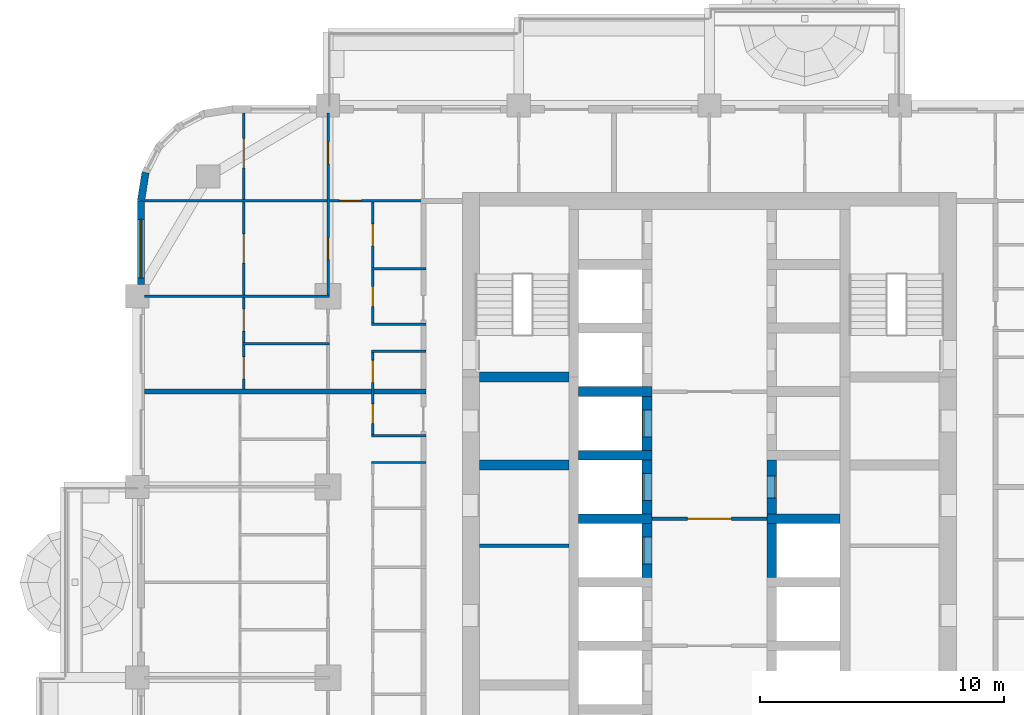
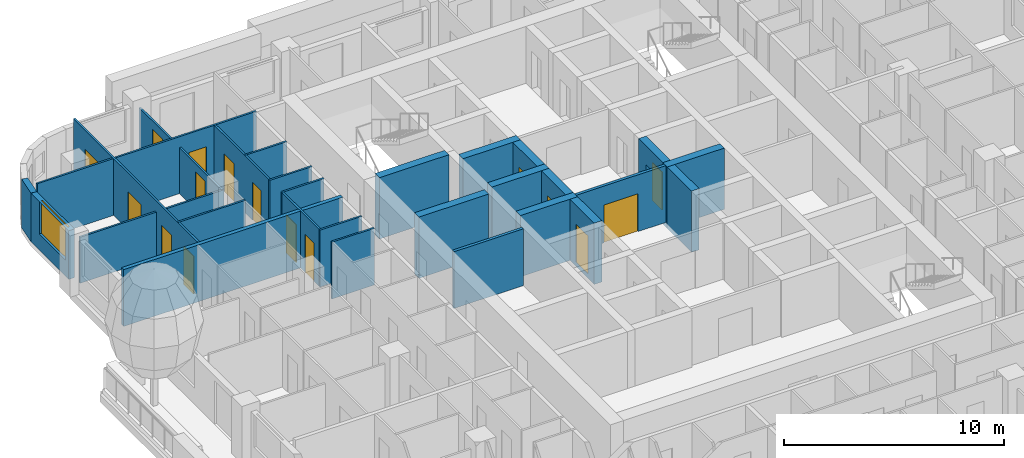
# One storey, part 10 of 18: 28 walls, 16 doors, 1 window, 17 openings.
"""IFC4 building model written with IfcOpenShell, lengths in metres."""

from ifc_helpers import new_model, si_unit, direction, frame, frame_2d, origin, place, context, subcontext, project, spatial, rectangle, extrude, material, layer, layer_set, type_object, element, fill, save


model = new_model("IFC4")

# Units and contexts
model_context = context("Model", 3, precision=1e-05, world=origin(), true_north=direction((0.0, 1.0)))
body_context = subcontext(model_context, "Body", "Model", "MODEL_VIEW")
ifc_project = project(units=[si_unit("LENGTHUNIT", "METRE"), si_unit("AREAUNIT", "SQUARE_METRE"), si_unit("VOLUMEUNIT", "CUBIC_METRE"), si_unit("PLANEANGLEUNIT", "RADIAN"), si_unit("MASSUNIT", "GRAM", prefix="KILO")], contexts=[model_context])

# Site, building, storey
site_placement = place(None, origin())
site = spatial("IfcSite", under=ifc_project, at=site_placement, CompositionType="ELEMENT")
building_placement = place(site_placement, origin())
building = spatial("IfcBuilding", under=site, at=building_placement, Name="Ludao Terraces", CompositionType="ELEMENT")
storey_placement = place(building_placement, frame((0.0, 0.0, 58.0)))
storey = spatial("IfcBuildingStorey", under=building, at=storey_placement, Name="L15", CompositionType="ELEMENT", Elevation=58.0)

# Wall, opening, window
ifc_material_1 = material(Name="Granite cladding", Category="masonry")
ifc_layer_1 = layer(ifc_material_1, 0.0400390625, Category="stone")
ifc_material_2 = material(Name="Mineral wool")
ifc_layer_2 = layer(ifc_material_2, 0.06005859375)
ifc_material_3 = material(Name="Concrete C40", Category="concrete")
ifc_layer_3 = layer(ifc_material_3, 0.199951171875, Category="concrete")
ifc_layer_set_1 = layer_set([ifc_layer_1, ifc_layer_2, ifc_layer_3], Name="ENV Stone-clad wall 300")
wall_type_1 = type_object("IfcWallType", Name="ENV Stone-clad wall 300", PredefinedType="SOLIDWALL", material=ifc_layer_set_1)
wall_1_placement = place(storey_placement, frame((61.75, 81.074951171875, 0.0), z_axis=(0.0, 0.0, 1.0), x_axis=(0.0, 1.0, 0.0)))
wall_1 = element("IfcWall", 1, at=wall_1_placement, inside=storey, type_object=wall_type_1, Name="EW-L15-W6", PredefinedType="SOLIDWALL", context=body_context, shape_type="SweptSolid", body=[
    extrude(rectangle(XDim=3.425048828125, YDim=0.300048828125, at=frame_2d((1.71240234375, 0.0))), origin(), (0.0, 0.0, 1.0), 2.699951171875),
])
opening_1_placement = place(wall_1_placement, frame((0.27490234375, 0.0, 0.89990234375)))
opening_1 = element("IfcOpeningElement", 2, at=opening_1_placement, cuts=wall_1, Name="Opening W1", PredefinedType="OPENING", context=body_context, shape_type="SweptSolid", body=[
    extrude(rectangle(XDim=2.39990234375, YDim=1.800048828125, at=frame_2d((1.199951171875, 0.89990234375))), frame((0.0, 0.16015625, 0.0), z_axis=(0.0, -1.0, 0.0), x_axis=(1.0, 0.0, 0.0)), (0.0, 0.0, 1.0), 0.320068359375),
])
ifc_material_4 = material(Name="Clear glass in aluminium frame", Category="aluminium")
ifc_layer_4 = layer(ifc_material_4, 0.06005859375)
ifc_layer_set_2 = layer_set([ifc_layer_4], Name="ENV Window W1 2400x1800")
window_type = type_object("IfcWindowType", Name="ENV Window W1 2400x1800", PartitioningType="DOUBLE_PANEL_VERTICAL", PredefinedType="WINDOW", material=ifc_layer_set_2)
window_placement = place(opening_1_placement, origin())
window = element("IfcWindow", 3, at=window_placement, inside=storey, type_object=window_type, Name="W-L15-W6-1", OverallHeight=1.800048828125, OverallWidth=2.39990234375, PartitioningType="DOUBLE_PANEL_VERTICAL", PredefinedType="WINDOW", context=body_context, shape_type="SweptSolid", body=[
    extrude(rectangle(XDim=2.39990234375, YDim=1.800048828125, at=frame_2d((1.199951171875, 0.89990234375))), frame((0.0, 0.030029296875, 0.0), z_axis=(0.0, -1.0, 0.0), x_axis=(1.0, 0.0, 0.0)), (0.0, 0.0, 1.0), 0.06005859375),
])
fill(opening_1, window)

# Walls
wall_2_placement = place(storey_placement, frame((61.93359375, 85.65869140625, 0.0), z_axis=(0.0, 0.0, 1.0), x_axis=(-0.156496880861, -0.987678452879, 0.0)))
element("IfcWall", 4, at=wall_2_placement, inside=storey, type_object=wall_type_1, Name="EW-L15-NW5", PredefinedType="SOLIDWALL", context=body_context, shape_type="SweptSolid", body=[
    extrude(rectangle(XDim=1.173095703125, YDim=0.300048828125, at=frame_2d((0.58642578125, 0.0))), origin(), (0.0, 0.0, 1.0), 2.699951171875),
])
ifc_material_5 = material(Name="Fire-rated gypsum plasterboard", Category="gypsum")
ifc_layer_5 = layer(ifc_material_5, 0.012451171875, Category="gypsum")
ifc_layer_6 = layer(ifc_material_2, 0.10009765625, Name="insulation")
ifc_material_6 = material(Name="Steel Q235", Category="steel")
ifc_layer_7 = layer(ifc_material_6, 0.02490234375, Name="stud")
ifc_layer_8 = layer(ifc_material_5, 0.012451171875, Category="gypsum")
ifc_layer_set_3 = layer_set([ifc_layer_5, ifc_layer_6, ifc_layer_7, ifc_layer_8], Name="INT Core partition 150")
wall_type_2 = type_object("IfcWallType", Name="INT Core partition 150", PredefinedType="PARTITIONING", material=ifc_layer_set_3)
wall_3_placement = place(storey_placement, frame((75.60009765625, 70.39990234375, 0.0), z_axis=(0.0, 0.0, 1.0), x_axis=(1.0, 0.0, 0.0)))
element("IfcWall", 5, at=wall_3_placement, inside=storey, type_object=wall_type_2, Name="PW-L15-PW049", PredefinedType="PARTITIONING", context=body_context, shape_type="SweptSolid", body=[
    extrude(rectangle(XDim=3.64990234375, YDim=0.14990234375, at=frame_2d((1.824951171875, 0.0))), origin(), (0.0, 0.0, 1.0), 3.14990234375),
])

# Wall, opening, door
wall_4_placement = place(storey_placement, frame((82.650146484375, 71.5, 0.0), z_axis=(0.0, 0.0, 1.0), x_axis=(1.0, 0.0, 0.0)))
wall_4 = element("IfcWall", 6, at=wall_4_placement, inside=storey, type_object=wall_type_2, Name="PW-L15-PW053", PredefinedType="PARTITIONING", context=body_context, shape_type="SweptSolid", body=[
    extrude(rectangle(XDim=4.699951171875, YDim=0.14990234375, at=frame_2d((2.35009765625, 0.0))), origin(), (0.0, 0.0, 1.0), 3.14990234375),
])
opening_2_placement = place(wall_4_placement, frame((1.449951171875, 0.0, 0.0)))
opening_2 = element("IfcOpeningElement", 7, at=opening_2_placement, cuts=wall_4, Name="Opening R04-102", PredefinedType="OPENING", context=body_context, shape_type="SweptSolid", body=[
    extrude(rectangle(XDim=1.800048828125, YDim=2.10009765625, at=frame_2d((0.89990234375, 1.050048828125))), frame((0.0, 0.0849609375, 0.0), z_axis=(0.0, -1.0, 0.0), x_axis=(1.0, 0.0, 0.0)), (0.0, 0.0, 1.0), 0.169921875),
])
door_type_1 = type_object("IfcDoorType", Name="INT Fire lobby door 1800", OperationType="DOUBLE_DOOR_SINGLE_SWING", PredefinedType="DOOR", material=ifc_material_6)
door_1_placement = place(opening_2_placement, origin())
door_1 = element("IfcDoor", 8, at=door_1_placement, inside=storey, type_object=door_type_1, Name="DOOR 102", OperationType="DOUBLE_DOOR_SINGLE_SWING", OverallHeight=2.10009765625, OverallWidth=1.800048828125, PredefinedType="DOOR", context=body_context, shape_type="SweptSolid", body=[
    extrude(rectangle(XDim=1.800048828125, YDim=2.10009765625, at=frame_2d((0.89990234375, 1.050048828125))), frame((0.0, 0.02490234375, 0.0), z_axis=(0.0, -1.0, 0.0), x_axis=(1.0, 0.0, 0.0)), (0.0, 0.0, 1.0), 0.050048828125),
])
fill(opening_2, door_1)

# Walls
ifc_material_7 = material(Name="Gypsum plasterboard", Category="gypsum")
ifc_layer_9 = layer(ifc_material_7, 0.012451171875, Category="gypsum")
ifc_layer_10 = layer(ifc_material_2, 0.06005859375, Name="insulation")
ifc_layer_11 = layer(ifc_material_6, 0.014892578125, Name="stud")
ifc_layer_12 = layer(ifc_material_7, 0.012451171875, Category="gypsum")
ifc_layer_set_4 = layer_set([ifc_layer_9, ifc_layer_10, ifc_layer_11, ifc_layer_12], Name="INT Partition 100")
wall_type_3 = type_object("IfcWallType", Name="INT Partition 100", PredefinedType="PARTITIONING", material=ifc_layer_set_4)
for number, where, z_axis, x_axis, name in (
    (9, (71.18017578125, 73.800048828125, 0.0), (0.0, 0.0, 1.0), (1.0, 0.0, 0.0), "PW-L15-PW057"),
    (10, (71.18017578125, 74.89990234375, 0.0), (0.0, 0.0, 1.0), (1.0, 0.0, 0.0), "PW-L15-PW060"),
    (11, (71.18017578125, 78.35009765625, 0.0), (0.0, 0.0, 1.0), (1.0, 0.0, 0.0), "PW-L15-PW066"),
):
    element("IfcWall", number, at=place(storey_placement, frame(where, z_axis=z_axis, x_axis=x_axis)), inside=storey, type_object=wall_type_3, Name=name, PredefinedType="PARTITIONING", context=body_context, shape_type="SweptSolid", body=[
        extrude(rectangle(XDim=2.219970703125, YDim=0.10009765625, at=frame_2d((1.10986328125, 0.0))), origin(), (0.0, 0.0, 1.0), 3.14990234375),
    ])
wall_5_placement = place(storey_placement, frame((65.900146484375, 78.64990234375, 0.0), z_axis=(0.0, 0.0, 1.0), x_axis=(1.0, 0.0, 0.0)))
element("IfcWall", 12, at=wall_5_placement, inside=storey, type_object=wall_type_3, Name="PW-L15-PW067", PredefinedType="PARTITIONING", context=body_context, shape_type="SweptSolid", body=[
    extrude(rectangle(XDim=3.550048828125, YDim=0.10009765625, at=frame_2d((1.77490234375, 0.0))), origin(), (0.0, 0.0, 1.0), 3.14990234375),
])
wall_6_placement = place(storey_placement, frame((71.18017578125, 79.449951171875, 0.0), z_axis=(0.0, 0.0, 1.0), x_axis=(1.0, 0.0, 0.0)))
element("IfcWall", 13, at=wall_6_placement, inside=storey, type_object=wall_type_3, Name="PW-L15-PW069", PredefinedType="PARTITIONING", context=body_context, shape_type="SweptSolid", body=[
    extrude(rectangle(XDim=2.219970703125, YDim=0.10009765625, at=frame_2d((1.10986328125, 0.0))), origin(), (0.0, 0.0, 1.0), 3.14990234375),
])
wall_7_placement = place(storey_placement, frame((61.900146484375, 80.60009765625, 0.0), z_axis=(0.0, 0.0, 1.0), x_axis=(1.0, 0.0, 0.0)))
element("IfcWall", 14, at=wall_7_placement, inside=storey, type_object=wall_type_3, Name="PW-L15-PW070", PredefinedType="PARTITIONING", context=body_context, shape_type="SweptSolid", body=[
    extrude(rectangle(XDim=7.550048828125, YDim=0.10009765625, at=frame_2d((3.77490234375, 0.0))), origin(), (0.0, 0.0, 1.0), 2.550048828125),
])
wall_8_placement = place(storey_placement, frame((71.18017578125, 81.72998046875, 0.0), z_axis=(0.0, 0.0, 1.0), x_axis=(1.0, 0.0, 0.0)))
element("IfcWall", 15, at=wall_8_placement, inside=storey, type_object=wall_type_3, Name="PW-L15-PW073", PredefinedType="PARTITIONING", context=body_context, shape_type="SweptSolid", body=[
    extrude(rectangle(XDim=2.219970703125, YDim=0.10009765625, at=frame_2d((1.10986328125, 0.0))), origin(), (0.0, 0.0, 1.0), 3.14990234375),
])

# Wall, opening, door
wall_9_placement = place(storey_placement, frame((61.900146484375, 84.5, 0.0), z_axis=(0.0, 0.0, 1.0), x_axis=(1.0, 0.0, 0.0)))
wall_9 = element("IfcWall", 16, at=wall_9_placement, inside=storey, type_object=wall_type_3, Name="PW-L15-PW076", PredefinedType="PARTITIONING", context=body_context, shape_type="SweptSolid", body=[
    extrude(rectangle(XDim=11.5, YDim=0.10009765625, at=frame_2d((5.75, 0.0))), origin(), (0.0, 0.0, 1.0), 3.14990234375),
])
opening_3_placement = place(wall_9_placement, frame((7.965087890625, 0.0, 0.0)))
opening_3 = element("IfcOpeningElement", 17, at=opening_3_placement, cuts=wall_9, Name="Opening R04-153", PredefinedType="OPENING", context=body_context, shape_type="SweptSolid", body=[
    extrude(rectangle(XDim=0.89990234375, YDim=2.10009765625, at=frame_2d((0.449951171875, 1.050048828125))), frame((0.0, 0.06005859375, 0.0), z_axis=(0.0, -1.0, 0.0), x_axis=(1.0, 0.0, 0.0)), (0.0, 0.0, 1.0), 0.1201171875),
])
ifc_material_8 = material(Name="Timber door leaf", Category="wood")
door_type_2 = type_object("IfcDoorType", Name="INT Room door 900", OperationType="SINGLE_SWING_LEFT", PredefinedType="DOOR", material=ifc_material_8)
door_2_placement = place(opening_3_placement, origin())
door_2 = element("IfcDoor", 18, at=door_2_placement, inside=storey, type_object=door_type_2, Name="DOOR 153", OperationType="SINGLE_SWING_RIGHT", OverallHeight=2.10009765625, OverallWidth=0.89990234375, PredefinedType="DOOR", context=body_context, shape_type="SweptSolid", body=[
    extrude(rectangle(XDim=0.89990234375, YDim=2.10009765625, at=frame_2d((0.449951171875, 1.050048828125))), frame((0.0, 0.02490234375, 0.0), z_axis=(0.0, -1.0, 0.0), x_axis=(1.0, 0.0, 0.0)), (0.0, 0.0, 1.0), 0.050048828125),
])
fill(opening_3, door_2)

# Wall, openings, doors
wall_10_placement = place(storey_placement, frame((65.949951171875, 76.800048828125, 0.0), z_axis=(0.0, 0.0, 1.0), x_axis=(0.0, 1.0, 0.0)))
wall_10 = element("IfcWall", 19, at=wall_10_placement, inside=storey, type_object=wall_type_3, Name="PW-L15-PW081", PredefinedType="PARTITIONING", context=body_context, shape_type="SweptSolid", body=[
    extrude(rectangle(XDim=11.300048828125, YDim=0.10009765625, at=frame_2d((5.64990234375, 0.0))), origin(), (0.0, 0.0, 1.0), 3.14990234375),
])
opening_4_placement = place(wall_10_placement, frame((0.425048828125, 0.0, 0.0)))
opening_4 = element("IfcOpeningElement", 20, at=opening_4_placement, cuts=wall_10, Name="Opening R04-128", PredefinedType="OPENING", context=body_context, shape_type="SweptSolid", body=[
    extrude(rectangle(XDim=0.89990234375, YDim=2.10009765625, at=frame_2d((0.449951171875, 1.050048828125))), frame((0.0, 0.06005859375, 0.0), z_axis=(0.0, -1.0, 0.0), x_axis=(1.0, 0.0, 0.0)), (0.0, 0.0, 1.0), 0.1201171875),
])
opening_5_placement = place(wall_10_placement, frame((2.375, 0.0, 0.0)))
opening_5 = element("IfcOpeningElement", 21, at=opening_5_placement, cuts=wall_10, Name="Opening R04-136", PredefinedType="OPENING", context=body_context, shape_type="SweptSolid", body=[
    extrude(rectangle(XDim=0.89990234375, YDim=2.10009765625, at=frame_2d((0.449951171875, 1.050048828125))), frame((0.0, 0.06005859375, 0.0), z_axis=(0.0, -1.0, 0.0), x_axis=(1.0, 0.0, 0.0)), (0.0, 0.0, 1.0), 0.1201171875),
])
opening_6_placement = place(wall_10_placement, frame((5.14990234375, 0.0, 0.0)))
opening_6 = element("IfcOpeningElement", 22, at=opening_6_placement, cuts=wall_10, Name="Opening R04-145", PredefinedType="OPENING", context=body_context, shape_type="SweptSolid", body=[
    extrude(rectangle(XDim=1.199951171875, YDim=2.10009765625, at=frame_2d((0.60009765625, 1.050048828125))), frame((0.0, 0.06005859375, 0.0), z_axis=(0.0, -1.0, 0.0), x_axis=(1.0, 0.0, 0.0)), (0.0, 0.0, 1.0), 0.1201171875),
])
opening_7_placement = place(wall_10_placement, frame((9.050048828125, 0.0, 0.0)))
opening_7 = element("IfcOpeningElement", 23, at=opening_7_placement, cuts=wall_10, Name="Opening R04-155", PredefinedType="OPENING", context=body_context, shape_type="SweptSolid", body=[
    extrude(rectangle(XDim=1.199951171875, YDim=2.10009765625, at=frame_2d((0.60009765625, 1.050048828125))), frame((0.0, 0.06005859375, 0.0), z_axis=(0.0, -1.0, 0.0), x_axis=(1.0, 0.0, 0.0)), (0.0, 0.0, 1.0), 0.1201171875),
])
door_type_3 = type_object("IfcDoorType", Name="INT Bathroom door 900", OperationType="SINGLE_SWING_LEFT", PredefinedType="DOOR", material=ifc_material_8)
door_3_placement = place(opening_4_placement, origin())
door_3 = element("IfcDoor", 24, at=door_3_placement, inside=storey, type_object=door_type_3, Name="DOOR 128", OperationType="SINGLE_SWING_RIGHT", OverallHeight=2.10009765625, OverallWidth=0.89990234375, PredefinedType="DOOR", context=body_context, shape_type="SweptSolid", body=[
    extrude(rectangle(XDim=0.89990234375, YDim=2.10009765625, at=frame_2d((0.449951171875, 1.050048828125))), frame((0.0, 0.02490234375, 0.0), z_axis=(0.0, -1.0, 0.0), x_axis=(1.0, 0.0, 0.0)), (0.0, 0.0, 1.0), 0.050048828125),
])
fill(opening_4, door_3)
door_type_4 = type_object("IfcDoorType", Name="INT Double door 1200", OperationType="DOUBLE_DOOR_SINGLE_SWING", PredefinedType="DOOR", material=ifc_material_8)
door_4_placement = place(opening_6_placement, origin())
door_4 = element("IfcDoor", 25, at=door_4_placement, inside=storey, type_object=door_type_4, Name="DOOR 145", OperationType="DOUBLE_DOOR_SINGLE_SWING", OverallHeight=2.10009765625, OverallWidth=1.199951171875, PredefinedType="DOOR", context=body_context, shape_type="SweptSolid", body=[
    extrude(rectangle(XDim=1.199951171875, YDim=2.10009765625, at=frame_2d((0.60009765625, 1.050048828125))), frame((0.0, 0.02490234375, 0.0), z_axis=(0.0, -1.0, 0.0), x_axis=(1.0, 0.0, 0.0)), (0.0, 0.0, 1.0), 0.050048828125),
])
fill(opening_6, door_4)
door_5_placement = place(opening_7_placement, origin())
door_5 = element("IfcDoor", 26, at=door_5_placement, inside=storey, type_object=door_type_4, Name="DOOR 155", OperationType="DOUBLE_DOOR_SINGLE_SWING", OverallHeight=2.10009765625, OverallWidth=1.199951171875, PredefinedType="DOOR", context=body_context, shape_type="SweptSolid", body=[
    extrude(rectangle(XDim=1.199951171875, YDim=2.10009765625, at=frame_2d((0.60009765625, 1.050048828125))), frame((0.0, 0.02490234375, 0.0), z_axis=(0.0, -1.0, 0.0), x_axis=(1.0, 0.0, 0.0)), (0.0, 0.0, 1.0), 0.050048828125),
])
fill(opening_7, door_5)
door_6_placement = place(opening_5_placement, origin())
door_6 = element("IfcDoor", 27, at=door_6_placement, inside=storey, type_object=door_type_2, Name="DOOR 136", OperationType="SINGLE_SWING_RIGHT", OverallHeight=2.10009765625, OverallWidth=0.89990234375, PredefinedType="DOOR", context=body_context, shape_type="SweptSolid", body=[
    extrude(rectangle(XDim=0.89990234375, YDim=2.10009765625, at=frame_2d((0.449951171875, 1.050048828125))), frame((0.0, 0.02490234375, 0.0), z_axis=(0.0, -1.0, 0.0), x_axis=(1.0, 0.0, 0.0)), (0.0, 0.0, 1.0), 0.050048828125),
])
fill(opening_5, door_6)

wall_11_placement = place(storey_placement, frame((69.39990234375, 80.60009765625, 0.0), z_axis=(0.0, 0.0, 1.0), x_axis=(0.0, 1.0, 0.0)))
wall_11 = element("IfcWall", 28, at=wall_11_placement, inside=storey, type_object=wall_type_3, Name="PW-L15-PW083-3", PredefinedType="PARTITIONING", context=body_context, shape_type="SweptSolid", body=[
    extrude(rectangle(XDim=7.5, YDim=0.10009765625, at=frame_2d((3.75, 0.0))), origin(), (0.0, 0.0, 1.0), 2.550048828125),
])
opening_8_placement = place(wall_11_placement, frame((1.5, 0.0, 0.0)))
opening_8 = element("IfcOpeningElement", 29, at=opening_8_placement, cuts=wall_11, Name="Opening R04-146", PredefinedType="OPENING", context=body_context, shape_type="SweptSolid", body=[
    extrude(rectangle(XDim=0.89990234375, YDim=2.10009765625, at=frame_2d((0.449951171875, 1.050048828125))), frame((0.0, 0.06005859375, 0.0), z_axis=(0.0, -1.0, 0.0), x_axis=(1.0, 0.0, 0.0)), (0.0, 0.0, 1.0), 0.1201171875),
])
opening_9_placement = place(wall_11_placement, frame((5.39990234375, 0.0, 0.0)))
opening_9 = element("IfcOpeningElement", 30, at=opening_9_placement, cuts=wall_11, Name="Opening R04-156", PredefinedType="OPENING", context=body_context, shape_type="SweptSolid", body=[
    extrude(rectangle(XDim=0.89990234375, YDim=2.10009765625, at=frame_2d((0.449951171875, 1.050048828125))), frame((0.0, 0.06005859375, 0.0), z_axis=(0.0, -1.0, 0.0), x_axis=(1.0, 0.0, 0.0)), (0.0, 0.0, 1.0), 0.1201171875),
])
door_7_placement = place(opening_8_placement, origin())
door_7 = element("IfcDoor", 31, at=door_7_placement, inside=storey, type_object=door_type_2, Name="DOOR 146", OperationType="SINGLE_SWING_LEFT", OverallHeight=2.10009765625, OverallWidth=0.89990234375, PredefinedType="DOOR", context=body_context, shape_type="SweptSolid", body=[
    extrude(rectangle(XDim=0.89990234375, YDim=2.10009765625, at=frame_2d((0.449951171875, 1.050048828125))), frame((0.0, 0.02490234375, 0.0), z_axis=(0.0, -1.0, 0.0), x_axis=(1.0, 0.0, 0.0)), (0.0, 0.0, 1.0), 0.050048828125),
])
fill(opening_8, door_7)
door_8_placement = place(opening_9_placement, origin())
door_8 = element("IfcDoor", 32, at=door_8_placement, inside=storey, type_object=door_type_2, Name="DOOR 156", OperationType="SINGLE_SWING_RIGHT", OverallHeight=2.10009765625, OverallWidth=0.89990234375, PredefinedType="DOOR", context=body_context, shape_type="SweptSolid", body=[
    extrude(rectangle(XDim=0.89990234375, YDim=2.10009765625, at=frame_2d((0.449951171875, 1.050048828125))), frame((0.0, 0.02490234375, 0.0), z_axis=(0.0, -1.0, 0.0), x_axis=(1.0, 0.0, 0.0)), (0.0, 0.0, 1.0), 0.050048828125),
])
fill(opening_9, door_8)

wall_12_placement = place(storey_placement, frame((71.22998046875, 74.9501953125, 0.0), z_axis=(0.0, 0.0, 1.0), x_axis=(0.0, 1.0, 0.0)))
wall_12 = element("IfcWall", 33, at=wall_12_placement, inside=storey, type_object=wall_type_3, Name="PW-L15-PW086", PredefinedType="PARTITIONING", context=body_context, shape_type="SweptSolid", body=[
    extrude(rectangle(XDim=3.349853515625, YDim=0.10009765625, at=frame_2d((1.6748046875, 0.0))), origin(), (0.0, 0.0, 1.0), 3.14990234375),
])
opening_10_placement = place(wall_12_placement, frame((0.449951171875, 0.0, 0.0)))
opening_10 = element("IfcOpeningElement", 34, at=opening_10_placement, cuts=wall_12, Name="Opening R04-124", PredefinedType="OPENING", context=body_context, shape_type="SweptSolid", body=[
    extrude(rectangle(XDim=0.800048828125, YDim=2.10009765625, at=frame_2d((0.39990234375, 1.050048828125))), frame((0.0, 0.06005859375, 0.0), z_axis=(0.0, -1.0, 0.0), x_axis=(1.0, 0.0, 0.0)), (0.0, 0.0, 1.0), 0.1201171875),
])
opening_11_placement = place(wall_12_placement, frame((2.125, 0.0, 0.0)))
opening_11 = element("IfcOpeningElement", 35, at=opening_11_placement, cuts=wall_12, Name="Opening R04-127", PredefinedType="OPENING", context=body_context, shape_type="SweptSolid", body=[
    extrude(rectangle(XDim=0.89990234375, YDim=2.10009765625, at=frame_2d((0.449951171875, 1.050048828125))), frame((0.0, 0.06005859375, 0.0), z_axis=(0.0, -1.0, 0.0), x_axis=(1.0, 0.0, 0.0)), (0.0, 0.0, 1.0), 0.1201171875),
])
door_9_placement = place(opening_11_placement, origin())
door_9 = element("IfcDoor", 36, at=door_9_placement, inside=storey, type_object=door_type_3, Name="DOOR 127", OperationType="SINGLE_SWING_RIGHT", OverallHeight=2.10009765625, OverallWidth=0.89990234375, PredefinedType="DOOR", context=body_context, shape_type="SweptSolid", body=[
    extrude(rectangle(XDim=0.89990234375, YDim=2.10009765625, at=frame_2d((0.449951171875, 1.050048828125))), frame((0.0, 0.02490234375, 0.0), z_axis=(0.0, -1.0, 0.0), x_axis=(1.0, 0.0, 0.0)), (0.0, 0.0, 1.0), 0.050048828125),
])
fill(opening_11, door_9)
door_type_5 = type_object("IfcDoorType", Name="INT Store door 800", OperationType="SINGLE_SWING_LEFT", PredefinedType="DOOR", material=ifc_material_8)
door_10_placement = place(opening_10_placement, origin())
door_10 = element("IfcDoor", 37, at=door_10_placement, inside=storey, type_object=door_type_5, Name="DOOR 124", OperationType="SINGLE_SWING_RIGHT", OverallHeight=2.10009765625, OverallWidth=0.800048828125, PredefinedType="DOOR", context=body_context, shape_type="SweptSolid", body=[
    extrude(rectangle(XDim=0.800048828125, YDim=2.10009765625, at=frame_2d((0.39990234375, 1.050048828125))), frame((0.0, 0.02490234375, 0.0), z_axis=(0.0, -1.0, 0.0), x_axis=(1.0, 0.0, 0.0)), (0.0, 0.0, 1.0), 0.050048828125),
])
fill(opening_10, door_10)

wall_13_placement = place(storey_placement, frame((71.22998046875, 79.5, 0.0), z_axis=(0.0, 0.0, 1.0), x_axis=(0.0, 1.0, 0.0)))
wall_13 = element("IfcWall", 38, at=wall_13_placement, inside=storey, type_object=wall_type_3, Name="PW-L15-PW087", PredefinedType="PARTITIONING", context=body_context, shape_type="SweptSolid", body=[
    extrude(rectangle(XDim=4.9501953125, YDim=0.10009765625, at=frame_2d((2.47509765625, 0.0))), origin(), (0.0, 0.0, 1.0), 3.14990234375),
])
opening_12_placement = place(wall_13_placement, frame((0.690185546875, 0.0, 0.0)))
opening_12 = element("IfcOpeningElement", 39, at=opening_12_placement, cuts=wall_13, Name="Opening R04-140", PredefinedType="OPENING", context=body_context, shape_type="SweptSolid", body=[
    extrude(rectangle(XDim=0.800048828125, YDim=2.10009765625, at=frame_2d((0.39990234375, 1.050048828125))), frame((0.0, 0.06005859375, 0.0), z_axis=(0.0, -1.0, 0.0), x_axis=(1.0, 0.0, 0.0)), (0.0, 0.0, 1.0), 0.1201171875),
])
opening_13_placement = place(wall_13_placement, frame((3.1650390625, 0.0, 0.0)))
opening_13 = element("IfcOpeningElement", 40, at=opening_13_placement, cuts=wall_13, Name="Opening R04-147", PredefinedType="OPENING", context=body_context, shape_type="SweptSolid", body=[
    extrude(rectangle(XDim=0.89990234375, YDim=2.10009765625, at=frame_2d((0.449951171875, 1.050048828125))), frame((0.0, 0.06005859375, 0.0), z_axis=(0.0, -1.0, 0.0), x_axis=(1.0, 0.0, 0.0)), (0.0, 0.0, 1.0), 0.1201171875),
])
door_11_placement = place(opening_13_placement, origin())
door_11 = element("IfcDoor", 41, at=door_11_placement, inside=storey, type_object=door_type_2, Name="DOOR 147", OperationType="SINGLE_SWING_RIGHT", OverallHeight=2.10009765625, OverallWidth=0.89990234375, PredefinedType="DOOR", context=body_context, shape_type="SweptSolid", body=[
    extrude(rectangle(XDim=0.89990234375, YDim=2.10009765625, at=frame_2d((0.449951171875, 1.050048828125))), frame((0.0, 0.02490234375, 0.0), z_axis=(0.0, -1.0, 0.0), x_axis=(1.0, 0.0, 0.0)), (0.0, 0.0, 1.0), 0.050048828125),
])
fill(opening_13, door_11)
door_12_placement = place(opening_12_placement, origin())
door_12 = element("IfcDoor", 42, at=door_12_placement, inside=storey, type_object=door_type_5, Name="DOOR 140", OperationType="SINGLE_SWING_RIGHT", OverallHeight=2.10009765625, OverallWidth=0.800048828125, PredefinedType="DOOR", context=body_context, shape_type="SweptSolid", body=[
    extrude(rectangle(XDim=0.800048828125, YDim=2.10009765625, at=frame_2d((0.39990234375, 1.050048828125))), frame((0.0, 0.02490234375, 0.0), z_axis=(0.0, -1.0, 0.0), x_axis=(1.0, 0.0, 0.0)), (0.0, 0.0, 1.0), 0.050048828125),
])
fill(opening_12, door_12)

# Wall
ifc_material_9 = material(Name="Autoclaved aerated concrete block B06 A3.5", Category="concrete")
ifc_layer_13 = layer(ifc_material_9, 0.199951171875)
ifc_layer_set_5 = layer_set([ifc_layer_13], Name="INT Party wall 200")
wall_type_4 = type_object("IfcWallType", Name="INT Party wall 200", PredefinedType="PARTITIONING", material=ifc_layer_set_5)
wall_14_placement = place(storey_placement, frame((61.900146484375, 76.699951171875, 0.0), z_axis=(0.0, 0.0, 1.0), x_axis=(1.0, 0.0, 0.0)))
element("IfcWall", 43, at=wall_14_placement, inside=storey, type_object=wall_type_4, Name="PW-L15-PW062", PredefinedType="PARTITIONING", context=body_context, shape_type="SweptSolid", body=[
    extrude(rectangle(XDim=11.5, YDim=0.199951171875, at=frame_2d((5.75, 0.0))), origin(), (0.0, 0.0, 1.0), 3.14990234375),
])

# Wall, opening, door
ifc_material_10 = material(Name="Concrete C60", Category="concrete")
ifc_layer_14 = layer(ifc_material_10, 0.39990234375)
ifc_layer_set_6 = layer_set([ifc_layer_14], Name="Shaft wall 400 C60")
wall_type_5 = type_object("IfcWallType", Name="Shaft wall 400 C60", PredefinedType="SOLIDWALL", material=ifc_layer_set_6)
wall_15_placement = place(storey_placement, frame((82.449951171875, 69.10009765625, -0.25), z_axis=(0.0, 0.0, 1.0), x_axis=(0.0, 1.0, 0.0)))
wall_15 = element("IfcWall", 44, at=wall_15_placement, inside=storey, type_object=wall_type_5, Name="Core wall L15 front-W4", PredefinedType="SOLIDWALL", context=body_context, shape_type="SweptSolid", body=[
    extrude(rectangle(XDim=2.199951171875, YDim=0.39990234375, at=frame_2d((1.10009765625, 0.0))), origin(), (0.0, 0.0, 1.0), 3.39990234375),
])
opening_14_placement = place(wall_15_placement, frame((0.550048828125, 0.0, 0.25)))
opening_14 = element("IfcOpeningElement", 45, at=opening_14_placement, cuts=wall_15, Name="Opening LD-LA4", PredefinedType="OPENING", context=body_context, shape_type="SweptSolid", body=[
    extrude(rectangle(XDim=1.10009765625, YDim=2.10009765625, at=frame_2d((0.550048828125, 1.050048828125))), frame((0.0, 0.2099609375, 0.0), z_axis=(0.0, -1.0, 0.0), x_axis=(1.0, 0.0, 0.0)), (0.0, 0.0, 1.0), 0.419921875),
])
ifc_material_11 = material(Name="Stainless steel 304", Category="steel")
door_type_6 = type_object("IfcDoorType", Name="INT Lift landing door 1100", OperationType="SLIDING_TO_LEFT", PredefinedType="DOOR", material=ifc_material_11)
door_13_placement = place(opening_14_placement, origin())
door_13 = element("IfcDoor", 46, at=door_13_placement, inside=storey, type_object=door_type_6, Name="LANDING DOOR LA4 L15", OperationType="SLIDING_TO_LEFT", OverallHeight=2.10009765625, OverallWidth=1.10009765625, PredefinedType="DOOR", context=body_context, shape_type="SweptSolid", body=[
    extrude(rectangle(XDim=1.10009765625, YDim=2.10009765625, at=frame_2d((0.550048828125, 1.050048828125))), frame((0.0, 0.18505859375, 0.0), z_axis=(0.0, -1.0, 0.0), x_axis=(1.0, 0.0, 0.0)), (0.0, 0.0, 1.0), 0.050048828125),
])
fill(opening_14, door_13)

# Wall
wall_16_placement = place(storey_placement, frame((79.64990234375, 71.5, -0.25), z_axis=(0.0, 0.0, 1.0), x_axis=(1.0, 0.0, 0.0)))
element("IfcWall", 47, at=wall_16_placement, inside=storey, type_object=wall_type_5, Name="Core wall L15 div-W5", PredefinedType="SOLIDWALL", context=body_context, shape_type="SweptSolid", body=[
    extrude(rectangle(XDim=3.0, YDim=0.39990234375, at=frame_2d((1.5, 0.0))), origin(), (0.0, 0.0, 1.0), 3.39990234375),
])

# Wall, opening, door
wall_17_placement = place(storey_placement, frame((82.449951171875, 71.699951171875, -0.25), z_axis=(0.0, 0.0, 1.0), x_axis=(0.0, 1.0, 0.0)))
wall_17 = element("IfcWall", 48, at=wall_17_placement, inside=storey, type_object=wall_type_5, Name="Core wall L15 front-W5", PredefinedType="SOLIDWALL", context=body_context, shape_type="SweptSolid", body=[
    extrude(rectangle(XDim=2.199951171875, YDim=0.39990234375, at=frame_2d((1.10009765625, 0.0))), origin(), (0.0, 0.0, 1.0), 3.39990234375),
])
opening_15_placement = place(wall_17_placement, frame((0.550048828125, 0.0, 0.25)))
opening_15 = element("IfcOpeningElement", 49, at=opening_15_placement, cuts=wall_17, Name="Opening LD-LA5", PredefinedType="OPENING", context=body_context, shape_type="SweptSolid", body=[
    extrude(rectangle(XDim=1.10009765625, YDim=2.10009765625, at=frame_2d((0.550048828125, 1.050048828125))), frame((0.0, 0.2099609375, 0.0), z_axis=(0.0, -1.0, 0.0), x_axis=(1.0, 0.0, 0.0)), (0.0, 0.0, 1.0), 0.419921875),
])
door_14_placement = place(opening_15_placement, origin())
door_14 = element("IfcDoor", 50, at=door_14_placement, inside=storey, type_object=door_type_6, Name="LANDING DOOR LA5 L15", OperationType="SLIDING_TO_LEFT", OverallHeight=2.10009765625, OverallWidth=1.10009765625, PredefinedType="DOOR", context=body_context, shape_type="SweptSolid", body=[
    extrude(rectangle(XDim=1.10009765625, YDim=2.10009765625, at=frame_2d((0.550048828125, 1.050048828125))), frame((0.0, 0.18505859375, 0.0), z_axis=(0.0, -1.0, 0.0), x_axis=(1.0, 0.0, 0.0)), (0.0, 0.0, 1.0), 0.050048828125),
])
fill(opening_15, door_14)

# Wall
wall_18_placement = place(storey_placement, frame((79.64990234375, 74.10009765625, -0.25), z_axis=(0.0, 0.0, 1.0), x_axis=(1.0, 0.0, 0.0)))
element("IfcWall", 51, at=wall_18_placement, inside=storey, type_object=wall_type_5, Name="Core wall L15 div-W6", PredefinedType="SOLIDWALL", context=body_context, shape_type="SweptSolid", body=[
    extrude(rectangle(XDim=3.0, YDim=0.39990234375, at=frame_2d((1.5, 0.0))), origin(), (0.0, 0.0, 1.0), 3.39990234375),
])

# Wall, opening, door
wall_19_placement = place(storey_placement, frame((82.449951171875, 74.300048828125, -0.25), z_axis=(0.0, 0.0, 1.0), x_axis=(0.0, 1.0, 0.0)))
wall_19 = element("IfcWall", 52, at=wall_19_placement, inside=storey, type_object=wall_type_5, Name="Core wall L15 front-W6", PredefinedType="SOLIDWALL", context=body_context, shape_type="SweptSolid", body=[
    extrude(rectangle(XDim=2.199951171875, YDim=0.39990234375, at=frame_2d((1.10009765625, 0.0))), origin(), (0.0, 0.0, 1.0), 3.39990234375),
])
opening_16_placement = place(wall_19_placement, frame((0.550048828125, 0.0, 0.25)))
opening_16 = element("IfcOpeningElement", 53, at=opening_16_placement, cuts=wall_19, Name="Opening LD-LA6", PredefinedType="OPENING", context=body_context, shape_type="SweptSolid", body=[
    extrude(rectangle(XDim=1.10009765625, YDim=2.10009765625, at=frame_2d((0.550048828125, 1.050048828125))), frame((0.0, 0.2099609375, 0.0), z_axis=(0.0, -1.0, 0.0), x_axis=(1.0, 0.0, 0.0)), (0.0, 0.0, 1.0), 0.419921875),
])
door_15_placement = place(opening_16_placement, origin())
door_15 = element("IfcDoor", 54, at=door_15_placement, inside=storey, type_object=door_type_6, Name="LANDING DOOR LA6 L15", OperationType="SLIDING_TO_LEFT", OverallHeight=2.10009765625, OverallWidth=1.10009765625, PredefinedType="DOOR", context=body_context, shape_type="SweptSolid", body=[
    extrude(rectangle(XDim=1.10009765625, YDim=2.10009765625, at=frame_2d((0.550048828125, 1.050048828125))), frame((0.0, 0.18505859375, 0.0), z_axis=(0.0, -1.0, 0.0), x_axis=(1.0, 0.0, 0.0)), (0.0, 0.0, 1.0), 0.050048828125),
])
fill(opening_16, door_15)

# Walls
wall_20_placement = place(storey_placement, frame((79.64990234375, 76.699951171875, -0.25), z_axis=(0.0, 0.0, 1.0), x_axis=(1.0, 0.0, 0.0)))
element("IfcWall", 55, at=wall_20_placement, inside=storey, type_object=wall_type_5, Name="Core wall L15 div-W7", PredefinedType="SOLIDWALL", context=body_context, shape_type="SweptSolid", body=[
    extrude(rectangle(XDim=3.0, YDim=0.39990234375, at=frame_2d((1.5, 0.0))), origin(), (0.0, 0.0, 1.0), 3.39990234375),
])
wall_21_placement = place(storey_placement, frame((87.550048828125, 69.10009765625, -0.25), z_axis=(0.0, 0.0, 1.0), x_axis=(0.0, 1.0, 0.0)))
element("IfcWall", 56, at=wall_21_placement, inside=storey, type_object=wall_type_5, Name="Core wall L15 front-E4", PredefinedType="SOLIDWALL", context=body_context, shape_type="SweptSolid", body=[
    extrude(rectangle(XDim=2.199951171875, YDim=0.39990234375, at=frame_2d((1.10009765625, 0.0))), origin(), (0.0, 0.0, 1.0), 3.39990234375),
])
wall_22_placement = place(storey_placement, frame((87.35009765625, 71.5, -0.25), z_axis=(0.0, 0.0, 1.0), x_axis=(1.0, 0.0, 0.0)))
element("IfcWall", 57, at=wall_22_placement, inside=storey, type_object=wall_type_5, Name="Core wall L15 div-E5", PredefinedType="SOLIDWALL", context=body_context, shape_type="SweptSolid", body=[
    extrude(rectangle(XDim=3.0, YDim=0.39990234375, at=frame_2d((1.5, 0.0))), origin(), (0.0, 0.0, 1.0), 3.39990234375),
])

# Wall, opening, door
wall_23_placement = place(storey_placement, frame((87.550048828125, 71.699951171875, -0.25), z_axis=(0.0, 0.0, 1.0), x_axis=(0.0, 1.0, 0.0)))
wall_23 = element("IfcWall", 58, at=wall_23_placement, inside=storey, type_object=wall_type_5, Name="Core wall L15 front-E5", PredefinedType="SOLIDWALL", context=body_context, shape_type="SweptSolid", body=[
    extrude(rectangle(XDim=2.199951171875, YDim=0.39990234375, at=frame_2d((1.10009765625, 0.0))), origin(), (0.0, 0.0, 1.0), 3.39990234375),
])
opening_17_placement = place(wall_23_placement, frame((0.64990234375, 0.0, 0.25)))
opening_17 = element("IfcOpeningElement", 59, at=opening_17_placement, cuts=wall_23, Name="Opening R04-110", PredefinedType="OPENING", context=body_context, shape_type="SweptSolid", body=[
    extrude(rectangle(XDim=0.89990234375, YDim=2.10009765625, at=frame_2d((0.449951171875, 1.050048828125))), frame((0.0, 0.2099609375, 0.0), z_axis=(0.0, -1.0, 0.0), x_axis=(1.0, 0.0, 0.0)), (0.0, 0.0, 1.0), 0.419921875),
])
door_16_placement = place(opening_17_placement, origin())
door_16 = element("IfcDoor", 60, at=door_16_placement, inside=storey, type_object=door_type_2, Name="DOOR 110", OperationType="SINGLE_SWING_RIGHT", OverallHeight=2.10009765625, OverallWidth=0.89990234375, PredefinedType="DOOR", context=body_context, shape_type="SweptSolid", body=[
    extrude(rectangle(XDim=0.89990234375, YDim=2.10009765625, at=frame_2d((0.449951171875, 1.050048828125))), frame((0.0, -0.134765625, 0.0), z_axis=(0.0, -1.0, 0.0), x_axis=(1.0, 0.0, 0.0)), (0.0, 0.0, 1.0), 0.050048828125),
])
fill(opening_17, door_16)

# Walls
for number, where, z_axis, x_axis, name in (
    (61, (75.60009765625, 73.699951171875, -0.25), (0.0, 0.0, 1.0), (1.0, 0.0, 0.0), "Core wall L15 riser-b-W"),
    (62, (75.60009765625, 77.300048828125, -0.25), (0.0, 0.0, 1.0), (1.0, 0.0, 0.0), "Core wall L15 stair-W"),
):
    element("IfcWall", number, at=place(storey_placement, frame(where, z_axis=z_axis, x_axis=x_axis)), inside=storey, type_object=wall_type_5, Name=name, PredefinedType="SOLIDWALL", context=body_context, shape_type="SweptSolid", body=[
        extrude(rectangle(XDim=3.64990234375, YDim=0.39990234375, at=frame_2d((1.824951171875, 0.0))), origin(), (0.0, 0.0, 1.0), 3.39990234375),
    ])

save(model, "model.ifc")
